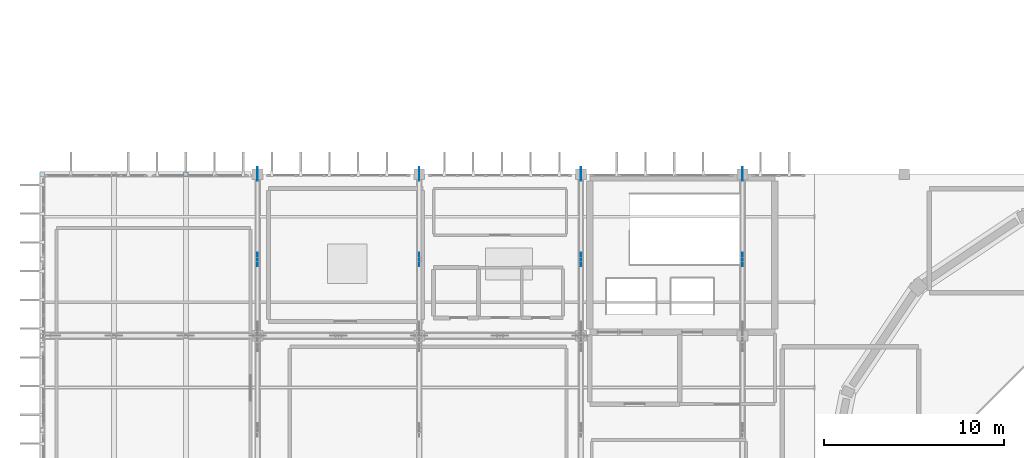
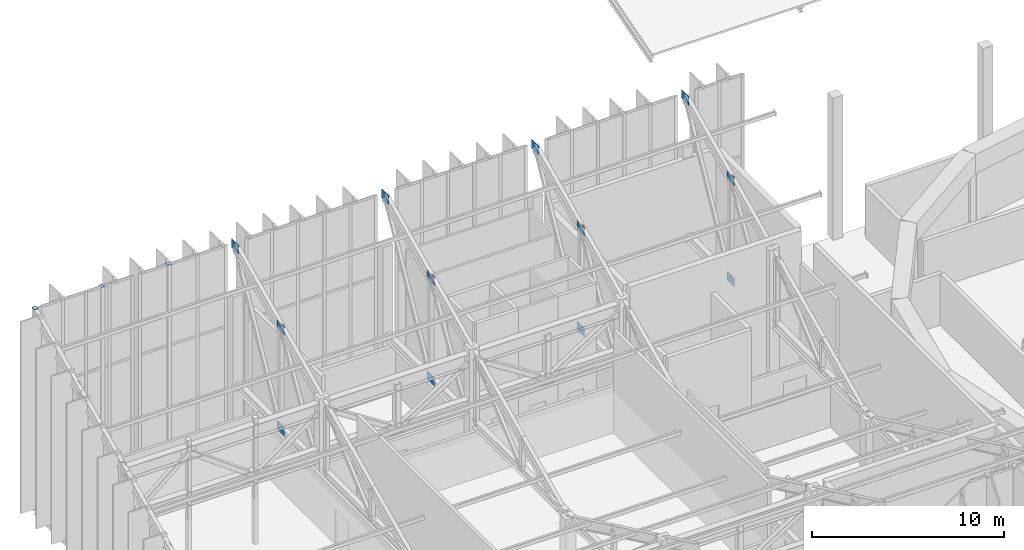
# One storey, part 56 of 68: 15 plates.
"""IFC4 building model written with IfcOpenShell, lengths in metres."""

from ifc_helpers import new_model, si_unit, direction, frame, origin, origin_2d, place, context, subcontext, project, spatial, rectangle, extrude, material, layer, layer_set, type_object, element, save


model = new_model("IFC4")

# Units and contexts
model_context = context("Model", 3, precision=1e-05, world=origin(), true_north=direction((0.0, 1.0)))
body_context = subcontext(model_context, "Body", "Model", "MODEL_VIEW")
ifc_project = project(units=[si_unit("LENGTHUNIT", "METRE"), si_unit("AREAUNIT", "SQUARE_METRE"), si_unit("VOLUMEUNIT", "CUBIC_METRE"), si_unit("PLANEANGLEUNIT", "RADIAN"), si_unit("MASSUNIT", "GRAM", prefix="KILO")], contexts=[model_context])

# Site, building, storey
site_placement = place(None, origin())
site = spatial("IfcSite", under=ifc_project, at=site_placement, CompositionType="ELEMENT")
building_placement = place(site_placement, origin())
building = spatial("IfcBuilding", under=site, at=building_placement, Name="Miravela Opera House", CompositionType="ELEMENT")
storey_placement = place(building_placement, frame((0.0, 0.0, 21.760009765625)))
storey = spatial("IfcBuildingStorey", under=building, at=storey_placement, Name="L05", CompositionType="ELEMENT", Elevation=21.760009765625)

# Plates
ifc_material = material(Name="Structural steel ASTM A572 Gr. 50", Category="steel")
ifc_layer_1 = layer(ifc_material, 0.01611328125)
ifc_layer_set_1 = layer_set([ifc_layer_1])
plate_type_1 = type_object("IfcPlateType", Name="STR-PL-CAP-250X250X16", PredefinedType="SHEET", material=ifc_layer_set_1)
for number, where, z_axis, x_axis, name in (
    (1, (15.0, 75.0, 12.238037109375), (0.0, 0.0, 1.0), (1.0, 0.0, 0.0), "HSS Welded End Cap Plate 035"),
    (2, (19.0, 75.0, 12.238037109375), (0.0, 0.0, 1.0), (1.0, 0.0, 0.0), "HSS Welded End Cap Plate 038"),
    (3, (23.0, 75.0, 12.238037109375), (0.0, 0.0, 1.0), (1.0, 0.0, 0.0), "HSS Welded End Cap Plate 040"),
):
    element("IfcPlate", number, at=place(storey_placement, frame(where, z_axis=z_axis, x_axis=x_axis)), inside=storey, type_object=plate_type_1, Name=name, PredefinedType="SHEET", context=body_context, shape_type="SweptSolid", body=[
        extrude(rectangle(XDim=0.25, YDim=0.25, at=origin_2d()), origin(), (0.0, 0.0, 1.0), 0.01611328125),
    ])
ifc_layer_2 = layer(ifc_material, 0.02001953125)
ifc_layer_set_2 = layer_set([ifc_layer_2])
plate_type_2 = type_object("IfcPlateType", Name="STR-PL-GUS-750X550X20", PredefinedType="USERDEFINED", material=ifc_layer_set_2)
for number, where, z_axis, x_axis, name in (
    (4, (27.0, 70.25, 9.4150390625), (0.0, 0.0, 1.0), (0.0, 1.0, 0.0), "Brace Node Gusset Plate 446"),
    (5, (27.0, 70.25, 3.0048828125), (0.0, 0.0, 1.0), (0.0, 1.0, 0.0), "Brace Node Gusset Plate 447"),
    (6, (27.0, 75.0, 11.6650390625), (0.0, 0.0, 1.0), (0.0, 1.0, 0.0), "Brace Node Gusset Plate 448"),
    (7, (36.0, 70.25, 9.4150390625), (0.0, 0.0, 1.0), (0.0, 1.0, 0.0), "Brace Node Gusset Plate 458"),
    (8, (36.0, 70.25, 3.0048828125), (0.0, 0.0, 1.0), (0.0, 1.0, 0.0), "Brace Node Gusset Plate 459"),
    (9, (36.0, 75.0, 11.6650390625), (0.0, 0.0, 1.0), (0.0, 1.0, 0.0), "Brace Node Gusset Plate 460"),
    (10, (45.0, 70.25, 9.4150390625), (0.0, 0.0, 1.0), (0.0, 1.0, 0.0), "Brace Node Gusset Plate 470"),
    (11, (45.0, 70.25, 3.0048828125), (0.0, 0.0, 1.0), (0.0, 1.0, 0.0), "Brace Node Gusset Plate 471"),
    (12, (45.0, 75.0, 11.6650390625), (0.0, 0.0, 1.0), (0.0, 1.0, 0.0), "Brace Node Gusset Plate 472"),
    (13, (54.0, 70.25, 9.4150390625), (0.0, 0.0, 1.0), (0.0, 1.0, 0.0), "Brace Node Gusset Plate 482"),
    (14, (54.0, 70.25, 3.0048828125), (0.0, 0.0, 1.0), (0.0, 1.0, 0.0), "Brace Node Gusset Plate 483"),
    (15, (54.0, 75.0, 11.6650390625), (0.0, 0.0, 1.0), (0.0, 1.0, 0.0), "Brace Node Gusset Plate 484"),
):
    element("IfcPlate", number, at=place(storey_placement, frame(where, z_axis=z_axis, x_axis=x_axis)), inside=storey, type_object=plate_type_2, Name=name, ObjectType="GUSSET PLATE", PredefinedType="USERDEFINED", context=body_context, shape_type="SweptSolid", body=[
        extrude(rectangle(XDim=0.75, YDim=0.02001953125, at=origin_2d()), origin(), (0.0, 0.0, 1.0), 0.550048828125),
    ])

save(model, "model.ifc")
